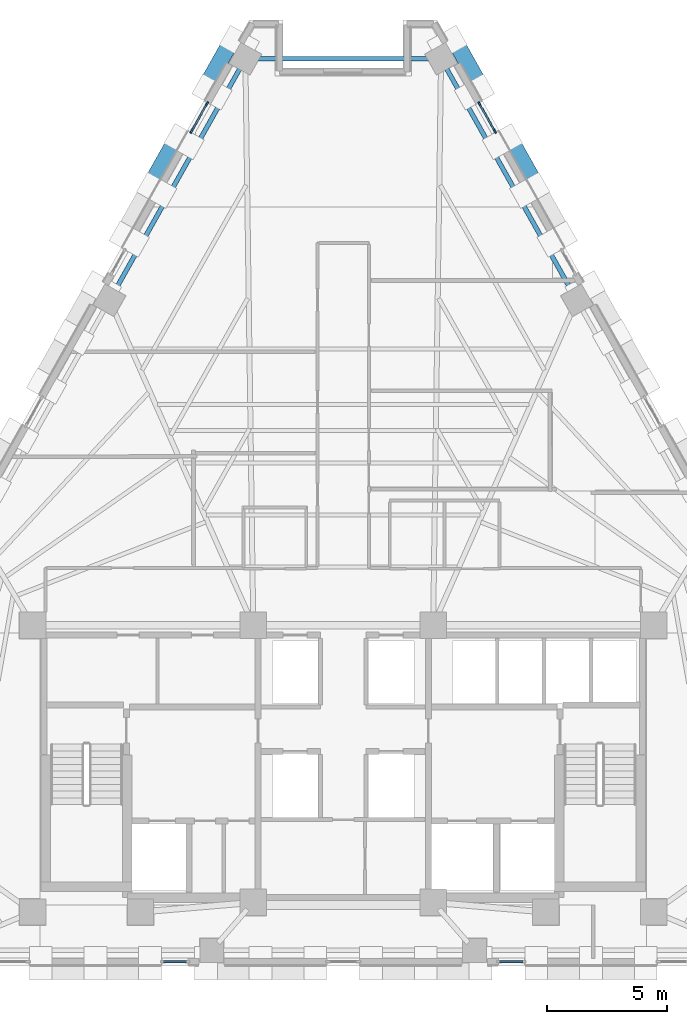
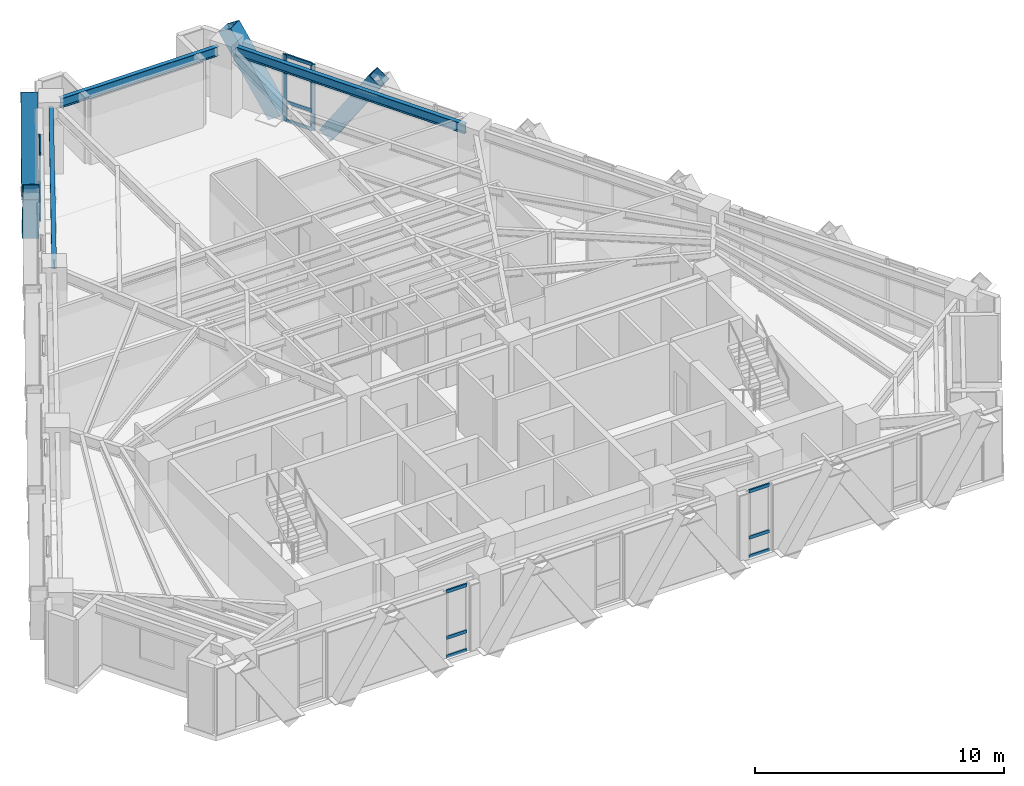
# One storey, part 5 of 13: 20 members, 3 beams, 4 elements without a shape of their own.
"""IFC4 building model written with IfcOpenShell, lengths in metres."""

from ifc_helpers import new_model, si_unit, direction, frame, origin, origin_2d, place, context, subcontext, project, spatial, rectangle, hollow_rectangle, i_section, extrude, material, material_profile, profile_set, type_object, element, aggregate, save


model = new_model("IFC4")

# Units and contexts
model_context = context("Model", 3, precision=1e-05, world=origin(), true_north=direction((0.0, 1.0)))
body_context = subcontext(model_context, "Body", "Model", "MODEL_VIEW")
ifc_project = project(units=[si_unit("LENGTHUNIT", "METRE"), si_unit("AREAUNIT", "SQUARE_METRE"), si_unit("VOLUMEUNIT", "CUBIC_METRE"), si_unit("PLANEANGLEUNIT", "RADIAN"), si_unit("MASSUNIT", "GRAM", prefix="KILO")], contexts=[model_context])

# Site, building, storey
site_placement = place(None, origin())
site = spatial("IfcSite", under=ifc_project, at=site_placement, CompositionType="ELEMENT")
building_placement = place(site_placement, origin())
building = spatial("IfcBuilding", under=site, at=building_placement, Name="Quenlor Broadcast Tower", CompositionType="ELEMENT")
storey_placement = place(building_placement, frame((0.0, 0.0, 137.0)))
storey = spatial("IfcBuildingStorey", under=building, at=storey_placement, Name="L37", CompositionType="ELEMENT", Elevation=137.0)

# Curtain wall, members
ifc_material_1 = material(Name="Architectural Terracotta and Low-E Glazing", Category="masonry")
curtain_wall_type = type_object("IfcCurtainWallType", Name="Unitised Terracotta Curtain Wall System Z3", PredefinedType="NOTDEFINED", material=ifc_material_1)
curtain_wall_1_placement = place(storey_placement, origin())
curtain_wall_1 = element("IfcCurtainWall", 1, at=curtain_wall_1_placement, inside=storey, type_object=curtain_wall_type, Name="L37 Curtain Wall CW3 (L37-NEA-G1)", PredefinedType="NOTDEFINED")
ifc_material_2 = material(Name="Aluminium 6063-T6", Category="aluminium")
ifc_material_profile_1 = material_profile(ifc_material_2, rectangle(XDim=0.070068359375, YDim=0.18994140625, at=origin_2d()))
ifc_profile_set_1 = profile_set([ifc_material_profile_1], Name="Aluminium 6063-T6 MULL70x190")
member_type_1 = type_object("IfcMemberType", Name="CW3 Aluminium Mullion MULL_CW3", PredefinedType="MULLION", material=ifc_profile_set_1)
member_1_placement = place(storey_placement, frame((5.677978515625, 16.94921875, 0.0), z_axis=(0.0, 0.0, 1.0), x_axis=(0.871592831439, 0.490230492916, 0.0)))
member_1 = element("IfcMember", 2, at=member_1_placement, type_object=member_type_1, Name="CW3 mullion 1", PredefinedType="MULLION", context=body_context, shape_type="SweptSolid", body=[
    extrude(rectangle(XDim=0.070068359375, YDim=0.18994140625, at=origin_2d()), origin(), (0.0, 0.0, 1.0), 3.25),
])
member_2_placement = place(storey_placement, frame((6.324951171875, 15.798828125, 0.0), z_axis=(0.0, 0.0, 1.0), x_axis=(0.871592831439, 0.490230492916, 0.0)))
member_2 = element("IfcMember", 3, at=member_2_placement, type_object=member_type_1, Name="CW3 mullion 2", PredefinedType="MULLION", context=body_context, shape_type="SweptSolid", body=[
    extrude(rectangle(XDim=0.070068359375, YDim=0.18994140625, at=origin_2d()), origin(), (0.0, 0.0, 1.0), 3.25),
])

curtain_wall_2_placement = place(storey_placement, origin())
curtain_wall_2 = element("IfcCurtainWall", 4, at=curtain_wall_2_placement, inside=storey, type_object=curtain_wall_type, Name="L37 Curtain Wall CW3 (L37-NWC-G2)", PredefinedType="NOTDEFINED")
member_3_placement = place(storey_placement, frame((-6.324951171875, 15.798828125, 0.0), z_axis=(0.0, 0.0, 1.0), x_axis=(-0.871592831439, 0.490230492916, 0.0)))
member_3 = element("IfcMember", 5, at=member_3_placement, type_object=member_type_1, Name="CW3 mullion 1", PredefinedType="MULLION", context=body_context, shape_type="SweptSolid", body=[
    extrude(rectangle(XDim=0.070068359375, YDim=0.18994140625, at=origin_2d()), origin(), (0.0, 0.0, 1.0), 3.25),
])
member_4_placement = place(storey_placement, frame((-5.677978515625, 16.94921875, 0.0), z_axis=(0.0, 0.0, 1.0), x_axis=(-0.871592831439, 0.490230492916, 0.0)))
member_4 = element("IfcMember", 6, at=member_4_placement, type_object=member_type_1, Name="CW3 mullion 2", PredefinedType="MULLION", context=body_context, shape_type="SweptSolid", body=[
    extrude(rectangle(XDim=0.070068359375, YDim=0.18994140625, at=origin_2d()), origin(), (0.0, 0.0, 1.0), 3.25),
])

curtain_wall_3_placement = place(storey_placement, origin())
curtain_wall_3 = element("IfcCurtainWall", 7, at=curtain_wall_3_placement, inside=storey, type_object=curtain_wall_type, Name="L37 Curtain Wall CW3 (L37-SA-G2)", PredefinedType="NOTDEFINED")
ifc_material_3 = material(Name="Aluminium 6063-T6", Category="aluminium")
ifc_material_profile_2 = material_profile(ifc_material_3, rectangle(XDim=0.070068359375, YDim=0.155029296875, at=origin_2d()))
ifc_profile_set_2 = profile_set([ifc_material_profile_2], Name="Aluminium 6063-T6 TRAN70x155")
member_type_2 = type_object("IfcMemberType", Name="CW3 Aluminium Transom TRAN_CW3", PredefinedType="USERDEFINED", material=ifc_profile_set_2)
member_5_placement = place(storey_placement, frame((7.487060546875, -18.824951171875, 0.034912109375), z_axis=(-1.0, 0.0, 0.0), x_axis=(0.0, -1.0, 0.0)))
member_5 = element("IfcMember", 8, at=member_5_placement, type_object=member_type_2, Name="CW3 transom 1.1", ObjectType="TRANSOM", PredefinedType="USERDEFINED", context=body_context, shape_type="SweptSolid", body=[
    extrude(rectangle(XDim=0.070068359375, YDim=0.155029296875, at=origin_2d()), origin(), (0.0, 0.0, 1.0), 0.951171875),
])
member_6_placement = place(storey_placement, frame((7.487060546875, -18.824951171875, 0.949951171875), z_axis=(-1.0, 0.0, 0.0), x_axis=(0.0, -1.0, 0.0)))
member_6 = element("IfcMember", 9, at=member_6_placement, type_object=member_type_2, Name="CW3 transom 1.2", ObjectType="TRANSOM", PredefinedType="USERDEFINED", context=body_context, shape_type="SweptSolid", body=[
    extrude(rectangle(XDim=0.070068359375, YDim=0.155029296875, at=origin_2d()), origin(), (0.0, 0.0, 1.0), 0.951171875),
])
member_7_placement = place(storey_placement, frame((7.487060546875, -18.824951171875, 3.215087890625), z_axis=(-1.0, 0.0, 0.0), x_axis=(0.0, -1.0, 0.0)))
member_7 = element("IfcMember", 10, at=member_7_placement, type_object=member_type_2, Name="CW3 transom 1.3", ObjectType="TRANSOM", PredefinedType="USERDEFINED", context=body_context, shape_type="SweptSolid", body=[
    extrude(rectangle(XDim=0.070068359375, YDim=0.155029296875, at=origin_2d()), origin(), (0.0, 0.0, 1.0), 0.951171875),
])
aggregate(curtain_wall_3, [member_5, member_6, member_7])

curtain_wall_4_placement = place(storey_placement, origin())
curtain_wall_4 = element("IfcCurtainWall", 11, at=curtain_wall_4_placement, inside=storey, type_object=curtain_wall_type, Name="L37 Curtain Wall CW3 (L37-SC-G1)", PredefinedType="NOTDEFINED")
member_8_placement = place(storey_placement, frame((-6.535888671875, -18.824951171875, 0.034912109375), z_axis=(-1.0, 0.0, 0.0), x_axis=(0.0, -1.0, 0.0)))
member_8 = element("IfcMember", 12, at=member_8_placement, type_object=member_type_2, Name="CW3 transom 1.1", ObjectType="TRANSOM", PredefinedType="USERDEFINED", context=body_context, shape_type="SweptSolid", body=[
    extrude(rectangle(XDim=0.070068359375, YDim=0.155029296875, at=origin_2d()), origin(), (0.0, 0.0, 1.0), 0.951171875),
])
member_9_placement = place(storey_placement, frame((-6.535888671875, -18.824951171875, 0.949951171875), z_axis=(-1.0, 0.0, 0.0), x_axis=(0.0, -1.0, 0.0)))
member_9 = element("IfcMember", 13, at=member_9_placement, type_object=member_type_2, Name="CW3 transom 1.2", ObjectType="TRANSOM", PredefinedType="USERDEFINED", context=body_context, shape_type="SweptSolid", body=[
    extrude(rectangle(XDim=0.070068359375, YDim=0.155029296875, at=origin_2d()), origin(), (0.0, 0.0, 1.0), 0.951171875),
])
member_10_placement = place(storey_placement, frame((-6.535888671875, -18.824951171875, 3.215087890625), z_axis=(-1.0, 0.0, 0.0), x_axis=(0.0, -1.0, 0.0)))
member_10 = element("IfcMember", 14, at=member_10_placement, type_object=member_type_2, Name="CW3 transom 1.3", ObjectType="TRANSOM", PredefinedType="USERDEFINED", context=body_context, shape_type="SweptSolid", body=[
    extrude(rectangle(XDim=0.070068359375, YDim=0.155029296875, at=origin_2d()), origin(), (0.0, 0.0, 1.0), 0.951171875),
])
aggregate(curtain_wall_4, [member_8, member_9, member_10])

# Member
member_11_placement = place(storey_placement, frame((5.695068359375, 16.918701171875, 0.034912109375), z_axis=(0.490131387775, -0.871648566062, 0.0), x_axis=(0.871648566062, 0.490131387775, 0.0)))
member_11 = element("IfcMember", 15, at=member_11_placement, type_object=member_type_2, Name="CW3 transom 1.1", ObjectType="TRANSOM", PredefinedType="USERDEFINED", context=body_context, shape_type="SweptSolid", body=[
    extrude(rectangle(XDim=0.070068359375, YDim=0.155029296875, at=origin_2d()), origin(), (0.0, 0.0, 1.0), 1.249755859375),
])

member_12_placement = place(storey_placement, frame((5.695068359375, 16.918701171875, 0.949951171875), z_axis=(0.490131387775, -0.871648566062, 0.0), x_axis=(0.871648566062, 0.490131387775, 0.0)))
member_12 = element("IfcMember", 16, at=member_12_placement, type_object=member_type_2, Name="CW3 transom 1.2", ObjectType="TRANSOM", PredefinedType="USERDEFINED", context=body_context, shape_type="SweptSolid", body=[
    extrude(rectangle(XDim=0.070068359375, YDim=0.155029296875, at=origin_2d()), origin(), (0.0, 0.0, 1.0), 1.249755859375),
])

member_13_placement = place(storey_placement, frame((5.695068359375, 16.918701171875, 3.215087890625), z_axis=(0.490131387775, -0.871648566062, 0.0), x_axis=(0.871648566062, 0.490131387775, 0.0)))
member_13 = element("IfcMember", 17, at=member_13_placement, type_object=member_type_2, Name="CW3 transom 1.3", ObjectType="TRANSOM", PredefinedType="USERDEFINED", context=body_context, shape_type="SweptSolid", body=[
    extrude(rectangle(XDim=0.070068359375, YDim=0.155029296875, at=origin_2d()), origin(), (0.0, 0.0, 1.0), 1.249755859375),
])

aggregate(curtain_wall_1, [member_1, member_2, member_11, member_12, member_13])

member_14_placement = place(storey_placement, frame((-6.3076171875, 15.829345703125, 0.034912109375), z_axis=(0.490131387775, 0.871648566062, 0.0), x_axis=(-0.871648566062, 0.490131387775, 0.0)))
member_14 = element("IfcMember", 18, at=member_14_placement, type_object=member_type_2, Name="CW3 transom 1.1", ObjectType="TRANSOM", PredefinedType="USERDEFINED", context=body_context, shape_type="SweptSolid", body=[
    extrude(rectangle(XDim=0.070068359375, YDim=0.155029296875, at=origin_2d()), origin(), (0.0, 0.0, 1.0), 1.249755859375),
])

member_15_placement = place(storey_placement, frame((-6.3076171875, 15.829345703125, 0.949951171875), z_axis=(0.490131387775, 0.871648566062, 0.0), x_axis=(-0.871648566062, 0.490131387775, 0.0)))
member_15 = element("IfcMember", 19, at=member_15_placement, type_object=member_type_2, Name="CW3 transom 1.2", ObjectType="TRANSOM", PredefinedType="USERDEFINED", context=body_context, shape_type="SweptSolid", body=[
    extrude(rectangle(XDim=0.070068359375, YDim=0.155029296875, at=origin_2d()), origin(), (0.0, 0.0, 1.0), 1.249755859375),
])

member_16_placement = place(storey_placement, frame((-6.3076171875, 15.829345703125, 3.215087890625), z_axis=(0.490131387775, 0.871648566062, 0.0), x_axis=(-0.871648566062, 0.490131387775, 0.0)))
member_16 = element("IfcMember", 20, at=member_16_placement, type_object=member_type_2, Name="CW3 transom 1.3", ObjectType="TRANSOM", PredefinedType="USERDEFINED", context=body_context, shape_type="SweptSolid", body=[
    extrude(rectangle(XDim=0.070068359375, YDim=0.155029296875, at=origin_2d()), origin(), (0.0, 0.0, 1.0), 1.249755859375),
])

aggregate(curtain_wall_2, [member_3, member_4, member_14, member_15, member_16])

# Members
ifc_material_4 = material(Name="Steel S355", Category="steel")
ifc_material_profile_3 = material_profile(ifc_material_4, hollow_rectangle(XDim=0.679931640625, YDim=0.679931640625, WallThickness=0.02490234375, at=origin_2d()))
ifc_profile_set_3 = profile_set([ifc_material_profile_3], Name="Steel S355 RHS680x680x25")
member_type_3 = type_object("IfcMemberType", Name="Perimeter Diagonal Lattice Brace Z3-Z4 Steel S355 RHS680x25", PredefinedType="BRACE", material=ifc_profile_set_3)
for number, where, z_axis, x_axis, name in (
    (21, (6.92724609375, 15.53369140625, -0.1201171875), (0.2705491942, -0.481008661973, 0.833926735766), (0.871589611547, 0.490236217596, 0.0), "L37 Perimeter Diamond Lattice NE-C1S"),
    (22, (5.763916015625, 17.6015625, -0.1201171875), (-0.2705491942, 0.481008661973, 0.833926735766), (-0.871589611547, -0.490236217596, 0.0), "L37 Perimeter Diamond Lattice NE-C1B"),
    (23, (-5.763916015625, 17.6015625, -0.1201171875), (0.2705491942, 0.481008661973, 0.833926735766), (-0.871589611547, 0.490236217596, 0.0), "L37 Perimeter Diamond Lattice NW-C5S"),
    (24, (-6.92724609375, 15.53369140625, -0.1201171875), (-0.2705491942, -0.481008661973, 0.833926735766), (0.871589611547, -0.490236217596, 0.0), "L37 Perimeter Diamond Lattice NW-C5B"),
):
    element("IfcMember", number, at=place(storey_placement, frame(where, z_axis=z_axis, x_axis=x_axis)), inside=storey, type_object=member_type_3, Name=name, PredefinedType="BRACE", context=body_context, shape_type="SweptSolid", body=[
        extrude(hollow_rectangle(XDim=0.679931640625, YDim=0.679931640625, WallThickness=0.02490234375, at=origin_2d()), origin(), (0.0, 0.0, 1.0), 4.197021484375),
    ])

# Beams
ifc_material_5 = material(Name="Steel S355", Category="steel")
ifc_material_profile_4 = material_profile(ifc_material_5, i_section(OverallWidth=0.19091796875, OverallDepth=0.46044921875, WebThickness=0.010009765625, FlangeThickness=0.01611328125, FilletRadius=0.011474609375, at=origin_2d()))
ifc_profile_set_4 = profile_set([ifc_material_profile_4], Name="Steel S355 460UB82.1")
beam_type = type_object("IfcBeamType", Name="Perimeter Spandrel Beam Z3 Steel S355 460UB82.1", PredefinedType="SPANDREL", material=ifc_profile_set_4)
beam_1_placement = place(storey_placement, frame((9.5419921875, 9.110595703125, 3.019775390625), z_axis=(-0.490257999604, 0.871577359633, 0.0), x_axis=(-0.871577359633, -0.490257999604, 0.0)))
element("IfcBeam", 25, at=beam_1_placement, inside=storey, type_object=beam_type, Name="L37 Spandrel Beam NE3-NE4", PredefinedType="SPANDREL", context=body_context, shape_type="SweptSolid", body=[
    extrude(i_section(OverallWidth=0.19091796875, OverallDepth=0.46044921875, WebThickness=0.010009765625, FlangeThickness=0.01611328125, FilletRadius=0.011474609375, at=origin_2d()), origin(), (0.0, 0.0, 1.0), 10.732666015625),
])
beam_2_placement = place(storey_placement, frame((3.669189453125, 18.822021484375, 3.019775390625), z_axis=(-1.0, 0.0, 0.0), x_axis=(0.0, -1.0, 0.0)))
element("IfcBeam", 26, at=beam_2_placement, inside=storey, type_object=beam_type, Name="L37 Spandrel Beam NE4-NW1", PredefinedType="SPANDREL", context=body_context, shape_type="SweptSolid", body=[
    extrude(i_section(OverallWidth=0.19091796875, OverallDepth=0.46044921875, WebThickness=0.010009765625, FlangeThickness=0.01611328125, FilletRadius=0.011474609375, at=origin_2d()), origin(), (0.0, 0.0, 1.0), 7.33837890625),
])
beam_3_placement = place(storey_placement, frame((-4.2802734375, 18.46484375, 3.019775390625), z_axis=(-0.490257999604, -0.871577359633, 0.0), x_axis=(0.871577359633, -0.490257999604, 0.0)))
element("IfcBeam", 27, at=beam_3_placement, inside=storey, type_object=beam_type, Name="L37 Spandrel Beam NW1-NW2", PredefinedType="SPANDREL", context=body_context, shape_type="SweptSolid", body=[
    extrude(i_section(OverallWidth=0.19091796875, OverallDepth=0.46044921875, WebThickness=0.010009765625, FlangeThickness=0.01611328125, FilletRadius=0.011474609375, at=origin_2d()), origin(), (0.0, 0.0, 1.0), 10.732666015625),
])

save(model, "model.ifc")
